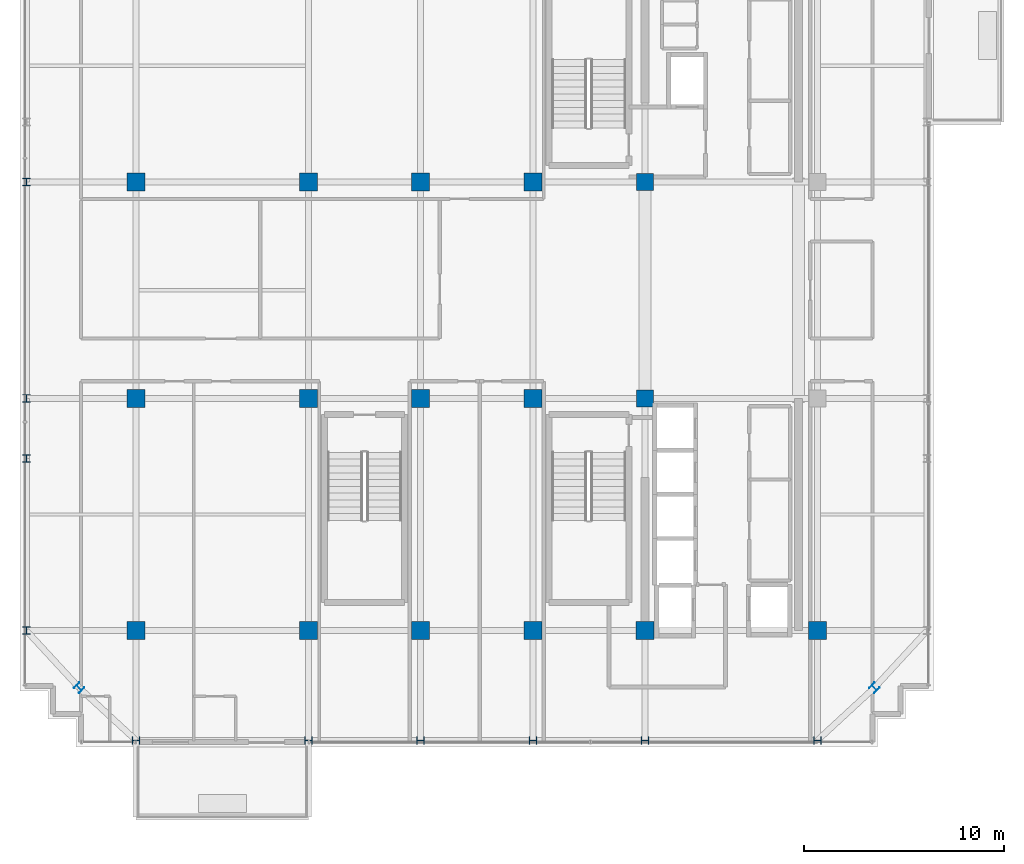
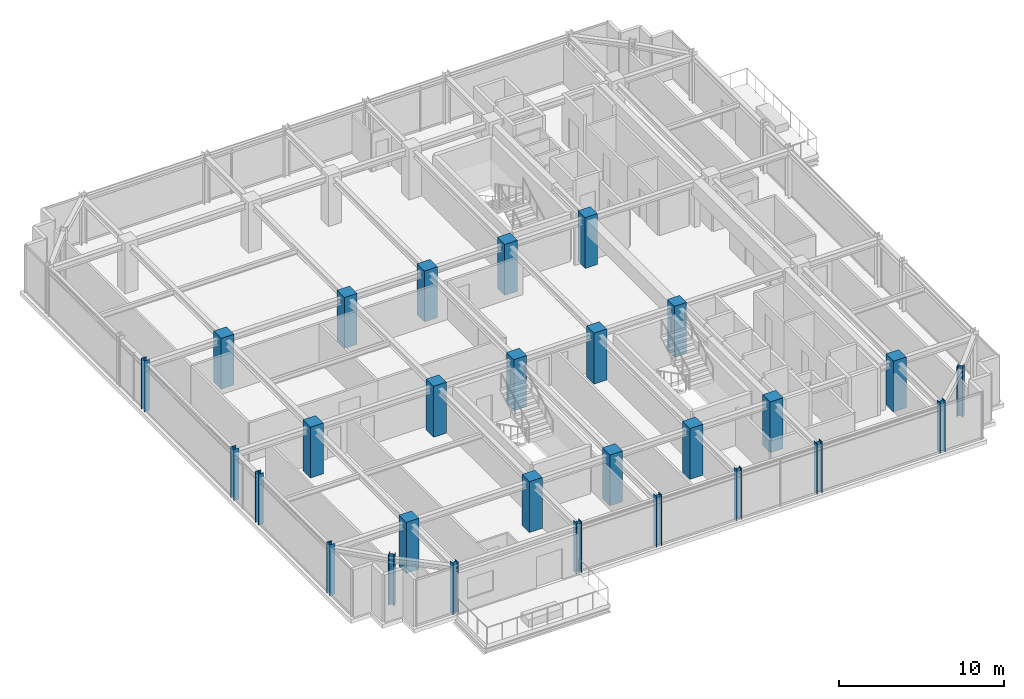
# One storey, part 1 of 33: 28 columns.
"""IFC4 building model written with IfcOpenShell, lengths in metres."""

import ifcopenshell
import ifcopenshell.guid

model = None  # the IFC model being written
_history = None  # IfcOwnerHistory: only IFC2X3 demands one
_inside = {}  # id of a spatial element -> (the spatial element, [elements in it])
_under = {}  # id of a project, library or spatial element -> (it, [spatial elements below it])
_declared = {}  # id of a project -> (the project, [libraries it declares])
_typed = {}  # id of a type object -> (the type object, [elements of that type])
_made_of = {}  # id of a material, layer set ... -> (it, [elements and type objects made of it])


def new_model(schema):
    """Start an empty IFC model of exactly this schema.

    Asked for "IFC4X3", IfcOpenShell would pick the latest addendum, in which some entities
    have other attributes; the version numbers below select the first issue.
    IFC2X3 requires an IfcOwnerHistory on every rooted entity: one is made here for all.
    """
    global model, _history
    if schema == "IFC4X3":
        model = ifcopenshell.file(schema_version=(4, 3, 0, 0))
    else:
        model = ifcopenshell.file(schema=schema)
    _inside.clear()
    _under.clear()
    _declared.clear()
    _typed.clear()
    _made_of.clear()
    _history = None
    if model.schema == "IFC2X3":
        org = make("IfcOrganization", Name="unknown")
        user = make(
            "IfcPersonAndOrganization",
            ThePerson=make("IfcPerson", FamilyName="unknown"),
            TheOrganization=org,
        )
        app = make(
            "IfcApplication",
            ApplicationDeveloper=org,
            Version="unknown",
            ApplicationFullName="unknown",
            ApplicationIdentifier="unknown",
        )
        _history = make(
            "IfcOwnerHistory",
            OwningUser=user,
            OwningApplication=app,
            ChangeAction="ADDED",
            CreationDate=0,
        )
    return model


def make(cls, **values):
    """One entity of the class cls with the attributes given. An attribute that is None is left unset."""
    return model.create_entity(
        cls, **{name: value for name, value in values.items() if value is not None}
    )


def rooted(cls, **values):
    """An entity with a GlobalId (a new one), such as an element, a storey or a relation."""
    return make(cls, GlobalId=ifcopenshell.guid.new(), OwnerHistory=_history, **values)


def si_unit(unit_type, name, prefix=None):
    """IfcSIUnit, for example si_unit("LENGTHUNIT", "METRE", prefix="MILLI")."""
    return make("IfcSIUnit", UnitType=unit_type, Prefix=prefix, Name=name)


def assignment(units):
    """IfcUnitAssignment: the units of a project."""
    return None if units is None else make("IfcUnitAssignment", Units=units)


def point(xyz):
    """IfcCartesianPoint."""
    return None if xyz is None else make("IfcCartesianPoint", Coordinates=xyz)


def direction(xyz):
    """IfcDirection."""
    return None if xyz is None else make("IfcDirection", DirectionRatios=xyz)


def frame(location, z_axis=None, x_axis=None):
    """IfcAxis2Placement3D, a coordinate frame: its origin and axes. An axis left out is left unset."""
    return make(
        "IfcAxis2Placement3D",
        Location=point(location),
        Axis=direction(z_axis),
        RefDirection=direction(x_axis),
    )


def frame_2d(location, x_axis=None):
    """IfcAxis2Placement2D, a coordinate frame in the plane: its origin and x axis."""
    return make(
        "IfcAxis2Placement2D", Location=point(location), RefDirection=direction(x_axis)
    )


def origin():
    """The frame at (0, 0, 0) with its axes left unset."""
    return frame((0.0, 0.0, 0.0))


def origin_2d():
    """The frame at (0, 0) in the plane with its x axis left unset."""
    return frame_2d((0.0, 0.0))


def place(relative_to, where):
    """IfcLocalPlacement: puts the frame where relative to a parent placement (None: the world)."""
    return make(
        "IfcLocalPlacement", PlacementRelTo=relative_to, RelativePlacement=where
    )


def context(
    kind, dimensions, precision=None, world=None, true_north=None, identifier=None
):
    """IfcGeometricRepresentationContext, for example the 3D "Model" context."""
    return make(
        "IfcGeometricRepresentationContext",
        ContextIdentifier=identifier,
        ContextType=kind,
        CoordinateSpaceDimension=dimensions,
        Precision=precision,
        WorldCoordinateSystem=world,
        TrueNorth=true_north,
    )


def subcontext(parent, identifier, kind, view, scale=None):
    """IfcGeometricRepresentationSubContext, for example "Body" below "Model"."""
    return make(
        "IfcGeometricRepresentationSubContext",
        ContextIdentifier=identifier,
        ContextType=kind,
        ParentContext=parent,
        TargetScale=scale,
        TargetView=view,
    )


def project(units=None, contexts=None):
    """IfcProject with its units and contexts."""
    return rooted(
        "IfcProject",
        Name="project",
        RepresentationContexts=contexts,
        UnitsInContext=assignment(units),
    )


def spatial(cls, under=None, at=None, **own):
    """A site, building, storey or space (cls), placed at a placement, below another one or the project."""
    s = rooted(cls, ObjectPlacement=at, **own)
    if under is not None:
        _under.setdefault(under.id(), (under, []))[1].append(s)
    return s


def profile(cls, at=None, kind="AREA", **sizes):
    """A parametric profile (cls). Its sizes go by their IFC names, for example OverallWidth=200.0."""
    return make(cls, ProfileType=kind, Position=at, **sizes)


def rectangle(**sizes):
    """IfcRectangleProfileDef."""
    return profile("IfcRectangleProfileDef", **sizes)


def i_section(**sizes):
    """IfcIShapeProfileDef."""
    return profile("IfcIShapeProfileDef", **sizes)


def extrude(swept, where, along, depth):
    """IfcExtrudedAreaSolid: the profile swept, set in the frame where, extruded along a direction by depth."""
    return make(
        "IfcExtrudedAreaSolid",
        SweptArea=swept,
        Position=where,
        ExtrudedDirection=direction(along),
        Depth=depth,
    )


def shape(context_of_items, identifier, shape_type, items):
    """IfcShapeRepresentation: the items that make up one representation, for example the "Body"."""
    return make(
        "IfcShapeRepresentation",
        ContextOfItems=context_of_items,
        RepresentationIdentifier=identifier,
        RepresentationType=shape_type,
        Items=items,
    )


def source(mapping_origin, context_of_items, identifier, shape_type, items):
    """IfcRepresentationMap: a shape defined once, which mapped items show again and again."""
    return make(
        "IfcRepresentationMap",
        MappingOrigin=mapping_origin,
        MappedRepresentation=shape(context_of_items, identifier, shape_type, items),
    )


def transform(
    local_origin,
    x_axis=None,
    y_axis=None,
    z_axis=None,
    scale=None,
    scale2=None,
    scale3=None,
    uniform=True,
):
    """IfcCartesianTransformationOperator3D, or its non-uniform kind. x_axis, y_axis, z_axis: its Axis1, 2, 3."""
    if uniform:
        return make(
            "IfcCartesianTransformationOperator3D",
            Axis1=direction(x_axis),
            Axis2=direction(y_axis),
            LocalOrigin=point(local_origin),
            Scale=scale,
            Axis3=direction(z_axis),
        )
    return make(
        "IfcCartesianTransformationOperator3DnonUniform",
        Axis1=direction(x_axis),
        Axis2=direction(y_axis),
        LocalOrigin=point(local_origin),
        Scale=scale,
        Axis3=direction(z_axis),
        Scale2=scale2,
        Scale3=scale3,
    )


def mapped(mapping_source, mapping_target):
    """IfcMappedItem: shows the shape of a source again, moved by a transform."""
    return make(
        "IfcMappedItem", MappingSource=mapping_source, MappingTarget=mapping_target
    )


def material(Name=None, Category=None):
    """IfcMaterial."""
    return make("IfcMaterial", Name=Name, Category=Category)


def material_profile(
    of_material, cross_section, Name=None, Category=None, Priority=None
):
    """IfcMaterialProfile: a cross section and its material."""
    return make(
        "IfcMaterialProfile",
        Name=Name,
        Material=of_material,
        Profile=cross_section,
        Priority=Priority,
        Category=Category,
    )


def profile_set(profiles, Name=None, composite=None):
    """IfcMaterialProfileSet."""
    return make(
        "IfcMaterialProfileSet",
        Name=Name,
        MaterialProfiles=profiles,
        CompositeProfile=composite,
    )


def made_of(thing, what):
    """Note that an element or type object is made of a material, layer set ...; save() writes the relation."""
    if what is not None:
        _made_of.setdefault(what.id(), (what, []))[1].append(thing)
    return thing


def type_object(cls, material=None, **own):
    """A type object (cls), such as IfcWallType, which elements share."""
    return made_of(rooted(cls, **own), material)


def element(
    cls,
    number,
    at=None,
    inside=None,
    cuts=None,
    type_object=None,
    material=None,
    context=None,
    identifier="Body",
    shape_type=None,
    held_by="IfcProductDefinitionShape",
    body=None,
    shapes=None,
    **own,
):
    """One element of the class cls, such as IfcWall. Its Tag is "e" and its number.

    at: its placement. inside: the storey or other place that contains it. cuts: it is an
    opening in that element (IfcRelVoidsElement). A single representation is given by context,
    identifier, shape_type and body (its items); several are given by shapes. held_by: the class
    of the entity that holds the representations. save() writes the other relations.
    """
    e = rooted(cls, Tag="e%d" % number, ObjectPlacement=at, **own)
    if body is not None:
        shapes = [shape(context, identifier, shape_type, body)]
    if shapes is not None:
        e.Representation = make(held_by, Representations=shapes)
    if inside is not None:
        _inside.setdefault(inside.id(), (inside, []))[1].append(e)
    if cuts is not None:
        rooted(
            "IfcRelVoidsElement", RelatingBuildingElement=cuts, RelatedOpeningElement=e
        )
    if type_object is not None:
        _typed.setdefault(type_object.id(), (type_object, []))[1].append(e)
    return made_of(e, material)


def aggregate(whole, parts):
    """IfcRelAggregates: a whole, such as a stair, and the parts it consists of."""
    return rooted("IfcRelAggregates", RelatingObject=whole, RelatedObjects=parts)


def save(model, path):
    """Write the relations noted so far, then the file.

    IfcRelAggregates (storeys below a building ...), IfcRelContainedInSpatialStructure (elements
    in a storey), IfcRelDefinesByType, IfcRelAssociatesMaterial and IfcRelDeclares: one each for
    every whole, place, type object, material and project.
    """
    for whole, parts in _under.values():
        aggregate(whole, parts)
    for where, things in _inside.values():
        rooted(
            "IfcRelContainedInSpatialStructure",
            RelatedElements=things,
            RelatingStructure=where,
        )
    for kind, things in _typed.values():
        rooted("IfcRelDefinesByType", RelatedObjects=things, RelatingType=kind)
    for what, things in _made_of.values():
        rooted("IfcRelAssociatesMaterial", RelatedObjects=things, RelatingMaterial=what)
    for by, libraries in _declared.values():
        rooted("IfcRelDeclares", RelatingContext=by, RelatedDefinitions=libraries)
    model.write(path)


model = new_model("IFC4")

# Units and contexts
model_context = context("Model", 3, precision=1e-05, world=origin(), true_north=direction((0.0, 1.0)))
body_context = subcontext(model_context, "Body", "Model", "MODEL_VIEW")
ifc_project = project(units=[si_unit("LENGTHUNIT", "METRE"), si_unit("AREAUNIT", "SQUARE_METRE"), si_unit("VOLUMEUNIT", "CUBIC_METRE"), si_unit("PLANEANGLEUNIT", "RADIAN"), si_unit("MASSUNIT", "GRAM", prefix="KILO")], contexts=[model_context])

# Site, building, storey
site_placement = place(None, origin())
site = spatial("IfcSite", under=ifc_project, at=site_placement, CompositionType="ELEMENT")
building_placement = place(site_placement, origin())
building = spatial("IfcBuilding", under=site, at=building_placement, Name="Nahalor Promenade Grand Hotel", CompositionType="ELEMENT")
storey_placement = place(building_placement, frame((0.0, 0.0, 315.75)))
storey = spatial("IfcBuildingStorey", under=building, at=storey_placement, Name="L81", CompositionType="ELEMENT", Elevation=315.75)

# Columns
ifc_material_1 = material(Name="Concrete B-50 (C40/50)", Category="concrete")
ifc_material_profile_1 = material_profile(ifc_material_1, rectangle(XDim=0.9, YDim=0.9, at=origin_2d()), Name="RC 900x900")
ifc_profile_set_1 = profile_set([ifc_material_profile_1], Name="Concrete B-50 (C40/50)")
column_type_1 = type_object("IfcColumnType", Name="Col-RC-900", PredefinedType="COLUMN", material=ifc_profile_set_1)
shared_shape_1 = source(origin(), body_context, "Body", "SweptSolid", [
    extrude(rectangle(XDim=0.9, YDim=0.9, at=origin_2d()), origin(), (0.0, 0.0, 1.0), 3.7548828125),
])
for number, where, z_axis, x_axis, name in (
    (1, (-17.0, -17.0, 0.0), (0.0, 0.0, 1.0), (1.0, 0.0, 0.0), "COL-L81-I00"),
    (2, (-17.0, -5.39990234375, 0.0), (0.0, 0.0, 1.0), (1.0, 0.0, 0.0), "COL-L81-I01"),
    (3, (-17.0, 5.39990234375, 0.0), (0.0, 0.0, 1.0), (1.0, 0.0, 0.0), "COL-L81-I02"),
    (4, (-8.39990234375, -17.0, 0.0), (0.0, 0.0, 1.0), (1.0, 0.0, 0.0), "COL-L81-I10"),
    (5, (-8.39990234375, -5.39990234375, 0.0), (0.0, 0.0, 1.0), (1.0, 0.0, 0.0), "COL-L81-I11"),
    (6, (-8.39990234375, 5.39990234375, 0.0), (0.0, 0.0, 1.0), (1.0, 0.0, 0.0), "COL-L81-I12"),
    (7, (-2.800048828125, -17.0, 0.0), (0.0, 0.0, 1.0), (1.0, 0.0, 0.0), "COL-L81-I20"),
    (8, (-2.800048828125, -5.39990234375, 0.0), (0.0, 0.0, 1.0), (1.0, 0.0, 0.0), "COL-L81-I21"),
    (9, (-2.800048828125, 5.39990234375, 0.0), (0.0, 0.0, 1.0), (1.0, 0.0, 0.0), "COL-L81-I22"),
    (10, (2.800048828125, -17.0, 0.0), (0.0, 0.0, 1.0), (1.0, 0.0, 0.0), "COL-L81-I30"),
    (11, (2.800048828125, -5.39990234375, 0.0), (0.0, 0.0, 1.0), (1.0, 0.0, 0.0), "COL-L81-I31"),
    (12, (2.800048828125, 5.39990234375, 0.0), (0.0, 0.0, 1.0), (1.0, 0.0, 0.0), "COL-L81-I32"),
    (13, (8.39990234375, -17.0, 0.0), (0.0, 0.0, 1.0), (1.0, 0.0, 0.0), "COL-L81-I40"),
    (14, (17.0, -17.0, 0.0), (0.0, 0.0, 1.0), (1.0, 0.0, 0.0), "COL-L81-I50"),
):
    element("IfcColumn", number, at=place(storey_placement, frame(where, z_axis=z_axis, x_axis=x_axis)), inside=storey, type_object=column_type_1, Name=name, PredefinedType="COLUMN", context=body_context, shape_type="MappedRepresentation", body=[
        mapped(shared_shape_1, transform((0.0, 0.0, 0.0), scale=1.0)),
    ])
ifc_material_2 = material(Name="Concrete B-70 (C60/75)", Category="concrete")
ifc_material_profile_2 = material_profile(ifc_material_2, rectangle(XDim=0.85, YDim=0.85, at=origin_2d()), Name="RC 850x850")
ifc_profile_set_2 = profile_set([ifc_material_profile_2], Name="Concrete B-70 (C60/75)")
column_type_2 = type_object("IfcColumnType", Name="Col-Pilaster-850", PredefinedType="PILASTER", material=ifc_profile_set_2)
shared_shape_2 = source(origin(), body_context, "Body", "SweptSolid", [
    extrude(rectangle(XDim=0.85, YDim=0.85, at=origin_2d()), origin(), (0.0, 0.0, 1.0), 3.7548828125),
])
for number, where, z_axis, x_axis, name in (
    (15, (8.39990234375, -5.39990234375, 0.0), (0.0, 0.0, 1.0), (1.0, 0.0, 0.0), "COL-L81-I41"),
    (16, (8.39990234375, 5.39990234375, 0.0), (0.0, 0.0, 1.0), (1.0, 0.0, 0.0), "COL-L81-I42"),
):
    element("IfcColumn", number, at=place(storey_placement, frame(where, z_axis=z_axis, x_axis=x_axis)), inside=storey, type_object=column_type_2, Name=name, PredefinedType="PILASTER", context=body_context, shape_type="MappedRepresentation", body=[
        mapped(shared_shape_2, transform((0.0, 0.0, 0.0), scale=1.0)),
    ])
ifc_material_3 = material(Name="Steel S355JR", Category="steel")
ifc_material_profile_3 = material_profile(ifc_material_3, i_section(OverallWidth=0.374, OverallDepth=0.374, WebThickness=0.0144, FlangeThickness=0.0229, at=origin_2d()), Name="HD 360x262")
ifc_profile_set_3 = profile_set([ifc_material_profile_3], Name="Steel S355JR")
column_type_3 = type_object("IfcColumnType", Name="Col-Steel-HD262", PredefinedType="COLUMN", material=ifc_profile_set_3)
shared_shape_3 = source(origin(), body_context, "Body", "SweptSolid", [
    extrude(i_section(OverallWidth=0.374, OverallDepth=0.374, WebThickness=0.0144, FlangeThickness=0.0229, at=origin_2d()), origin(), (0.0, 0.0, 1.0), 3.7548828125),
])
for number, where, z_axis, x_axis, name in (
    (17, (-22.47998046875, -17.0, 0.0), (0.0, 0.0, 1.0), (1.0, 0.0, 0.0), "COL-L81-PW-W0"),
    (18, (-22.47998046875, -8.39990234375, 0.0), (0.0, 0.0, 1.0), (1.0, 0.0, 0.0), "COL-L81-PW-W1"),
    (19, (-22.47998046875, -5.39990234375, 0.0), (0.0, 0.0, 1.0), (1.0, 0.0, 0.0), "COL-L81-PW-W2"),
    (20, (-22.47998046875, 5.39990234375, 0.0), (0.0, 0.0, 1.0), (1.0, 0.0, 0.0), "COL-L81-PW-W3"),
    (21, (-17.0, -22.47998046875, 0.0), (0.0, 0.0, 1.0), (0.0, 1.0, 0.0), "COL-L81-PN-S0"),
    (22, (-8.39990234375, -22.47998046875, 0.0), (0.0, 0.0, 1.0), (0.0, 1.0, 0.0), "COL-L81-PN-S1"),
    (23, (-2.800048828125, -22.47998046875, 0.0), (0.0, 0.0, 1.0), (0.0, 1.0, 0.0), "COL-L81-PN-S2"),
    (24, (2.800048828125, -22.47998046875, 0.0), (0.0, 0.0, 1.0), (0.0, 1.0, 0.0), "COL-L81-PN-S3"),
    (25, (8.39990234375, -22.47998046875, 0.0), (0.0, 0.0, 1.0), (0.0, 1.0, 0.0), "COL-L81-PN-S4"),
    (26, (17.0, -22.47998046875, 0.0), (0.0, 0.0, 1.0), (0.0, 1.0, 0.0), "COL-L81-PN-S5"),
    (27, (-19.85009765625, -19.85009765625, 0.0), (0.0, 0.0, 1.0), (0.707106781187, 0.707106781187, 0.0), "COL-L81-CRN-SW"),
    (28, (19.85009765625, -19.85009765625, 0.0), (0.0, 0.0, 1.0), (0.707106781187, 0.707106781187, 0.0), "COL-L81-CRN-SE"),
):
    element("IfcColumn", number, at=place(storey_placement, frame(where, z_axis=z_axis, x_axis=x_axis)), inside=storey, type_object=column_type_3, Name=name, PredefinedType="COLUMN", context=body_context, shape_type="MappedRepresentation", body=[
        mapped(shared_shape_3, transform((0.0, 0.0, 0.0), scale=1.0)),
    ])

save(model, "model.ifc")
